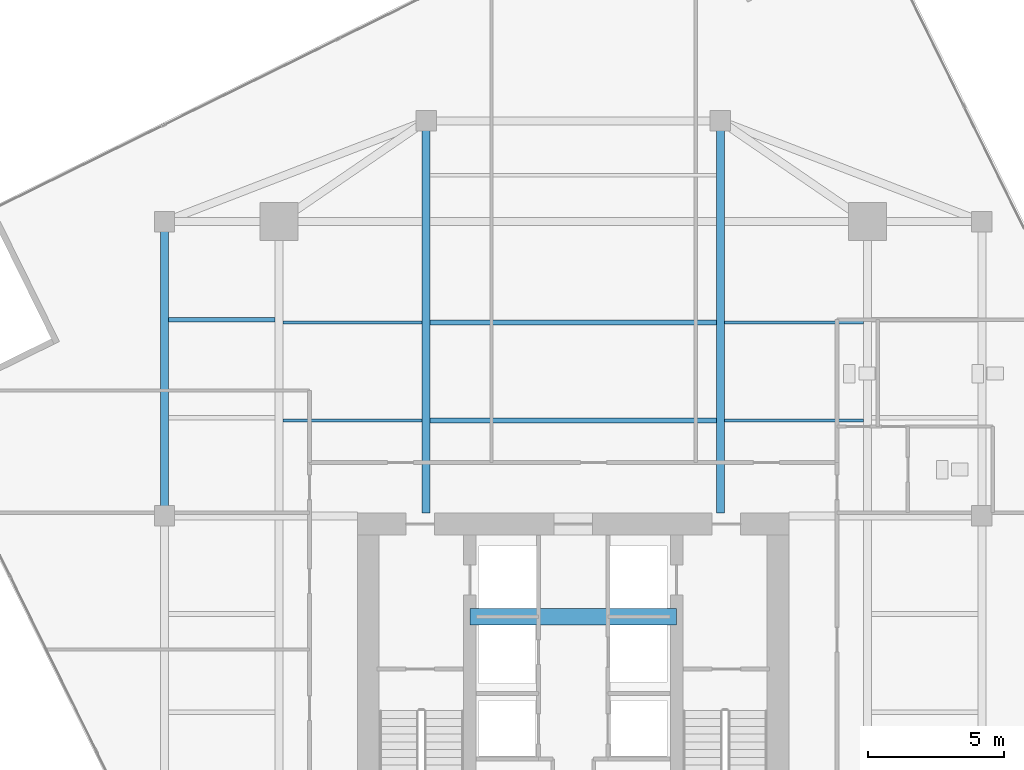
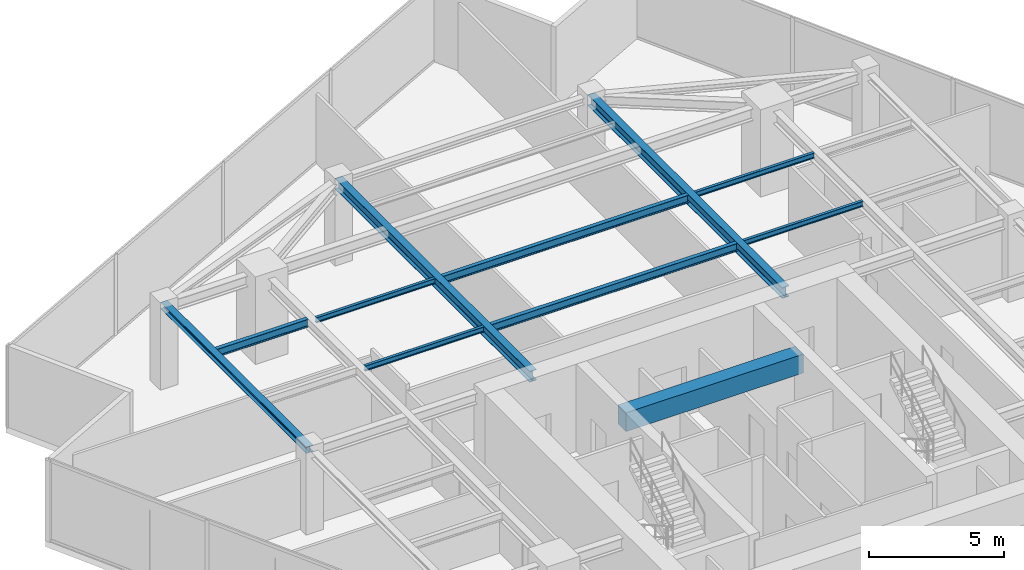
# One storey, part 7 of 22: 11 beams.
"""IFC4 building model written with IfcOpenShell, lengths in metres."""

from ifc_helpers import new_model, si_unit, direction, frame, origin, origin_2d, place, context, subcontext, project, spatial, rectangle, i_section, extrude, source, transform, mapped, material, material_profile, profile_set, type_object, type_shapes, element, save


model = new_model("IFC4")

# Units and contexts
model_context = context("Model", 3, precision=1e-05, world=origin(), true_north=direction((0.0, 1.0)))
body_context = subcontext(model_context, "Body", "Model", "MODEL_VIEW")
ifc_project = project(units=[si_unit("LENGTHUNIT", "METRE"), si_unit("AREAUNIT", "SQUARE_METRE"), si_unit("VOLUMEUNIT", "CUBIC_METRE"), si_unit("PLANEANGLEUNIT", "RADIAN"), si_unit("MASSUNIT", "GRAM", prefix="KILO")], contexts=[model_context])

# Site, building, storey
site_placement = place(None, origin())
site = spatial("IfcSite", under=ifc_project, at=site_placement, CompositionType="ELEMENT")
building_placement = place(site_placement, origin())
building = spatial("IfcBuilding", under=site, at=building_placement, Name="Krantzveldt Concourse Tower", CompositionType="ELEMENT")
storey_placement = place(building_placement, frame((0.0, 0.0, 310.85009765625)))
storey = spatial("IfcBuildingStorey", under=building, at=storey_placement, Name="L76", CompositionType="ELEMENT", Elevation=310.85009765625)

# Beams
ifc_material_1 = material(Name="Steel S355JR", Category="steel")
ifc_material_profile_1 = material_profile(ifc_material_1, i_section(OverallWidth=0.169921875, OverallDepth=0.360107421875, WebThickness=0.008056640625, FlangeThickness=0.0126953125, FilletRadius=0.01806640625, at=origin_2d()), Name="Steel S355JR", Category="steel")
ifc_profile_set_1 = profile_set([ifc_material_profile_1], Name="Steel S355JR - IPE 360")
beam_type_1 = type_object("IfcBeamType", Name="BM-J-IPE360", PredefinedType="JOIST", material=ifc_profile_set_1)
shared_shape_1 = source(origin(), body_context, "Body", "SweptSolid", [
    extrude(i_section(OverallWidth=0.169921875, OverallDepth=0.360107421875, WebThickness=0.008056640625, FlangeThickness=0.0126953125, FilletRadius=0.01806640625, at=origin_2d()), origin(), (0.0, 0.0, 1.0), 10.5),
])
for number, where, z_axis, x_axis, name in (
    (1, (30.75, 30.199951171875, 3.489990234375), (1.0, 0.0, 0.0), (0.0, 1.0, 0.0), "L76 Secondary Floor Joist JN-C1"),
    (2, (30.75, 33.800048828125, 3.489990234375), (1.0, 0.0, 0.0), (0.0, 1.0, 0.0), "L76 Secondary Floor Joist JN-C2"),
):
    element("IfcBeam", number, at=place(storey_placement, frame(where, z_axis=z_axis, x_axis=x_axis)), inside=storey, type_object=beam_type_1, Name=name, PredefinedType="JOIST", context=body_context, shape_type="MappedRepresentation", body=[
        mapped(shared_shape_1, transform((0.0, 0.0, 0.0), x_axis=(1.0, 0.0, 0.0), y_axis=(0.0, 1.0, 0.0), z_axis=(0.0, 0.0, 1.0), scale=1.0)),
    ])
ifc_material_profile_2 = material_profile(ifc_material_1, i_section(OverallWidth=0.300048828125, OverallDepth=0.489990234375, WebThickness=0.011962890625, FlangeThickness=0.02294921875, FilletRadius=0.027099609375, at=origin_2d()), Name="Steel S355JR", Category="steel")
ifc_profile_set_2 = profile_set([ifc_material_profile_2], Name="Steel S355JR - HEA 500")
beam_type_2 = type_object("IfcBeamType", Name="BM-B-HEA500", PredefinedType="BEAM", material=ifc_profile_set_2)
shared_shape_2 = source(origin(), body_context, "Body", "SweptSolid", [
    extrude(i_section(OverallWidth=0.300048828125, OverallDepth=0.489990234375, WebThickness=0.011962890625, FlangeThickness=0.02294921875, FilletRadius=0.027099609375, at=origin_2d()), origin(), (0.0, 0.0, 1.0), 14.39990234375),
])
type_shapes(beam_type_2, [shared_shape_2])
for number, where, z_axis, x_axis, name in (
    (3, (30.60009765625, 26.800048828125, 3.4248046875), (0.0, 1.0, 0.0), (-1.0, 0.0, 0.0), "L76 Tower Girder BG-CNW"),
    (4, (41.39990234375, 26.800048828125, 3.4248046875), (0.0, 1.0, 0.0), (-1.0, 0.0, 0.0), "L76 Tower Girder BG-CNE"),
):
    element("IfcBeam", number, at=place(storey_placement, frame(where, z_axis=z_axis, x_axis=x_axis)), inside=storey, type_object=beam_type_2, Name=name, PredefinedType="BEAM", context=body_context, shape_type="MappedRepresentation", body=[
        mapped(shared_shape_2, transform((0.0, 0.0, 0.0), x_axis=(1.0, 0.0, 0.0), y_axis=(0.0, 1.0, 0.0), z_axis=(0.0, 0.0, 1.0), scale=1.0)),
    ])
ifc_material_2 = material(Name="Concrete C50/60", Category="concrete")
ifc_material_profile_3 = material_profile(ifc_material_2, rectangle(XDim=0.60009765625, YDim=0.85009765625, at=origin_2d()), Name="Concrete C50/60", Category="concrete")
ifc_profile_set_3 = profile_set([ifc_material_profile_3], Name="Concrete C50/60 - RC-CB 600x850")
beam_type_3 = type_object("IfcBeamType", Name="BM-CB-850", PredefinedType="LINTEL", material=ifc_profile_set_3)
shared_shape_3 = source(origin(), body_context, "Body", "SweptSolid", [
    extrude(rectangle(XDim=0.60009765625, YDim=0.85009765625, at=origin_2d()), origin(), (0.0, 0.0, 1.0), 7.580078125),
])
type_shapes(beam_type_3, [shared_shape_3])
beam_1_placement = place(storey_placement, frame((32.2099609375, 23.0, 3.244873046875), z_axis=(1.0, 0.0, 0.0), x_axis=(0.0, 1.0, 0.0)))
element("IfcBeam", 5, at=beam_1_placement, inside=storey, type_object=beam_type_3, Name="CB-L76-01", PredefinedType="LINTEL", context=body_context, shape_type="MappedRepresentation", body=[
    mapped(shared_shape_3, transform((0.0, 0.0, 0.0), x_axis=(1.0, 0.0, 0.0), y_axis=(0.0, 1.0, 0.0), z_axis=(0.0, 0.0, 1.0), scale=1.0)),
])
ifc_material_profile_4 = material_profile(ifc_material_1, i_section(OverallWidth=0.2900390625, OverallDepth=0.2900390625, WebThickness=0.008544921875, FlangeThickness=0.013916015625, FilletRadius=0.027099609375, at=origin_2d()), Name="Steel S355JR", Category="steel")
ifc_profile_set_4 = profile_set([ifc_material_profile_4], Name="Steel S355JR - HEA 300")
beam_type_4 = type_object("IfcBeamType", Name="BM-SP-HEA300", PredefinedType="SPANDREL", material=ifc_profile_set_4)
shared_shape_4 = source(origin(), body_context, "Body", "SweptSolid", [
    extrude(i_section(OverallWidth=0.2900390625, OverallDepth=0.2900390625, WebThickness=0.008544921875, FlangeThickness=0.013916015625, FilletRadius=0.027099609375, at=origin_2d()), origin(), (0.0, 0.0, 1.0), 10.800048828125),
])
type_shapes(beam_type_4, [shared_shape_4])
beam_2_placement = place(storey_placement, frame((21.0, 26.699951171875, 3.52490234375), z_axis=(0.0, 1.0, 0.0), x_axis=(-1.0, 0.0, 0.0)))
element("IfcBeam", 6, at=beam_2_placement, inside=storey, type_object=beam_type_4, Name="L76 Tower Girder SP-R02", PredefinedType="SPANDREL", context=body_context, shape_type="MappedRepresentation", body=[
    mapped(shared_shape_4, transform((0.0, 0.0, 0.0), x_axis=(1.0, 0.0, 0.0), y_axis=(0.0, 1.0, 0.0), z_axis=(0.0, 0.0, 1.0), scale=1.0)),
])
ifc_material_profile_5 = material_profile(ifc_material_1, i_section(OverallWidth=0.1201171875, OverallDepth=0.239990234375, WebThickness=0.006103515625, FlangeThickness=0.009765625, FilletRadius=0.014892578125, at=origin_2d()), Name="Steel S355JR", Category="steel")
ifc_profile_set_5 = profile_set([ifc_material_profile_5], Name="Steel S355JR - IPE 240")
beam_type_5 = type_object("IfcBeamType", Name="BM-LN-IPE240", PredefinedType="LINTEL", material=ifc_profile_set_5)
shared_shape_5 = source(origin(), body_context, "Body", "SweptSolid", [
    extrude(i_section(OverallWidth=0.1201171875, OverallDepth=0.239990234375, WebThickness=0.006103515625, FlangeThickness=0.009765625, FilletRadius=0.014892578125, at=origin_2d()), origin(), (0.0, 0.0, 1.0), 5.099853515625),
])
type_shapes(beam_type_5, [shared_shape_5])
for number, where, z_axis, x_axis, name in (
    (7, (25.35009765625, 30.199951171875, 3.5498046875), (1.0, 0.0, 0.0), (0.0, 1.0, 0.0), "L76 Secondary Floor Joist JN-W1"),
    (8, (25.35009765625, 33.800048828125, 3.5498046875), (1.0, 0.0, 0.0), (0.0, 1.0, 0.0), "L76 Secondary Floor Joist JN-W2"),
    (9, (41.550048828125, 30.199951171875, 3.5498046875), (1.0, 0.0, 0.0), (0.0, 1.0, 0.0), "L76 Secondary Floor Joist JN-E1"),
    (10, (41.550048828125, 33.800048828125, 3.5498046875), (1.0, 0.0, 0.0), (0.0, 1.0, 0.0), "L76 Secondary Floor Joist JN-E2"),
):
    element("IfcBeam", number, at=place(storey_placement, frame(where, z_axis=z_axis, x_axis=x_axis)), inside=storey, type_object=beam_type_5, Name=name, PredefinedType="LINTEL", context=body_context, shape_type="MappedRepresentation", body=[
        mapped(shared_shape_5, transform((0.0, 0.0, 0.0), x_axis=(1.0, 0.0, 0.0), y_axis=(0.0, 1.0, 0.0), z_axis=(0.0, 0.0, 1.0), scale=1.0)),
    ])
shared_shape_6 = source(origin(), body_context, "Body", "SweptSolid", [
    extrude(i_section(OverallWidth=0.169921875, OverallDepth=0.360107421875, WebThickness=0.008056640625, FlangeThickness=0.0126953125, FilletRadius=0.01806640625, at=origin_2d()), origin(), (0.0, 0.0, 1.0), 3.900146484375),
])
type_shapes(beam_type_1, [shared_shape_1, shared_shape_6])
beam_3_placement = place(storey_placement, frame((21.14990234375, 33.89990234375, 3.489990234375), z_axis=(1.0, 0.0, 0.0), x_axis=(0.0, 1.0, 0.0)))
element("IfcBeam", 11, at=beam_3_placement, inside=storey, type_object=beam_type_1, Name="L76 Secondary Floor Joist JW-4", PredefinedType="JOIST", context=body_context, shape_type="MappedRepresentation", body=[
    mapped(shared_shape_6, transform((0.0, 0.0, 0.0), x_axis=(1.0, 0.0, 0.0), y_axis=(0.0, 1.0, 0.0), z_axis=(0.0, 0.0, 1.0), scale=1.0)),
])

save(model, "model.ifc")
